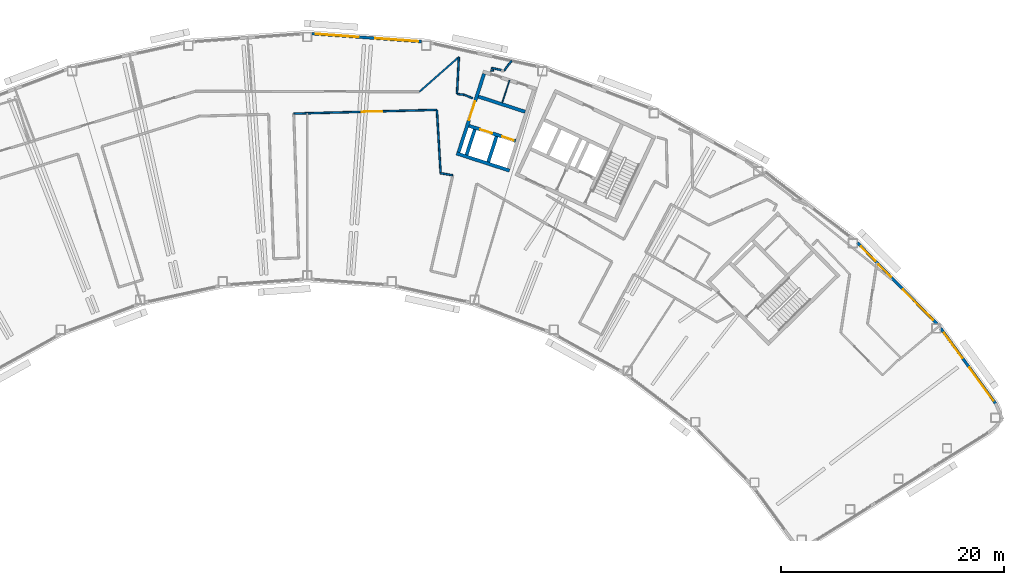
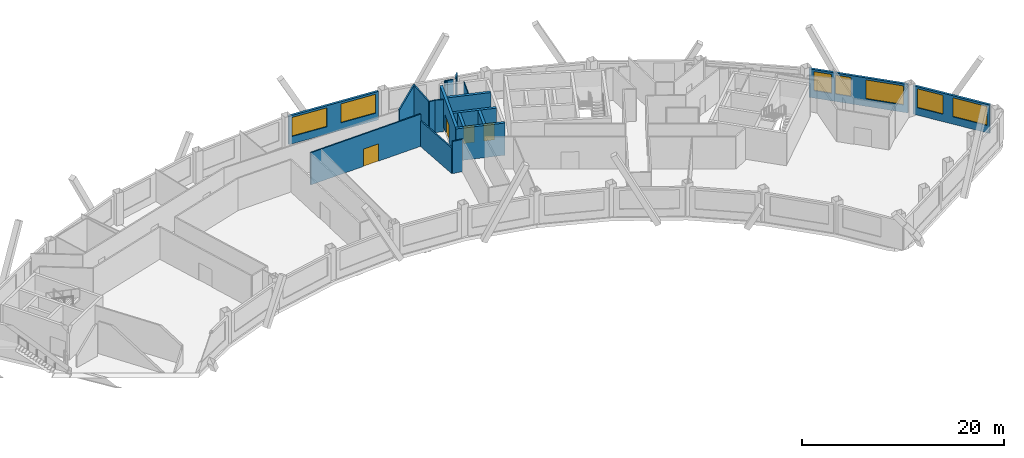
# One storey, part 9 of 13: 20 walls, 7 windows, 4 doors, 11 openings.
"""IFC4 building model written with IfcOpenShell, lengths in metres."""

import ifcopenshell
import ifcopenshell.guid

model = None  # the IFC model being written
_history = None  # IfcOwnerHistory: only IFC2X3 demands one
_inside = {}  # id of a spatial element -> (the spatial element, [elements in it])
_under = {}  # id of a project, library or spatial element -> (it, [spatial elements below it])
_declared = {}  # id of a project -> (the project, [libraries it declares])
_typed = {}  # id of a type object -> (the type object, [elements of that type])
_made_of = {}  # id of a material, layer set ... -> (it, [elements and type objects made of it])


def new_model(schema):
    """Start an empty IFC model of exactly this schema.

    Asked for "IFC4X3", IfcOpenShell would pick the latest addendum, in which some entities
    have other attributes; the version numbers below select the first issue.
    IFC2X3 requires an IfcOwnerHistory on every rooted entity: one is made here for all.
    """
    global model, _history
    if schema == "IFC4X3":
        model = ifcopenshell.file(schema_version=(4, 3, 0, 0))
    else:
        model = ifcopenshell.file(schema=schema)
    _inside.clear()
    _under.clear()
    _declared.clear()
    _typed.clear()
    _made_of.clear()
    _history = None
    if model.schema == "IFC2X3":
        org = make("IfcOrganization", Name="unknown")
        user = make(
            "IfcPersonAndOrganization",
            ThePerson=make("IfcPerson", FamilyName="unknown"),
            TheOrganization=org,
        )
        app = make(
            "IfcApplication",
            ApplicationDeveloper=org,
            Version="unknown",
            ApplicationFullName="unknown",
            ApplicationIdentifier="unknown",
        )
        _history = make(
            "IfcOwnerHistory",
            OwningUser=user,
            OwningApplication=app,
            ChangeAction="ADDED",
            CreationDate=0,
        )
    return model


def make(cls, **values):
    """One entity of the class cls with the attributes given. An attribute that is None is left unset."""
    return model.create_entity(
        cls, **{name: value for name, value in values.items() if value is not None}
    )


def rooted(cls, **values):
    """An entity with a GlobalId (a new one), such as an element, a storey or a relation."""
    return make(cls, GlobalId=ifcopenshell.guid.new(), OwnerHistory=_history, **values)


def si_unit(unit_type, name, prefix=None):
    """IfcSIUnit, for example si_unit("LENGTHUNIT", "METRE", prefix="MILLI")."""
    return make("IfcSIUnit", UnitType=unit_type, Prefix=prefix, Name=name)


def assignment(units):
    """IfcUnitAssignment: the units of a project."""
    return None if units is None else make("IfcUnitAssignment", Units=units)


def point(xyz):
    """IfcCartesianPoint."""
    return None if xyz is None else make("IfcCartesianPoint", Coordinates=xyz)


def direction(xyz):
    """IfcDirection."""
    return None if xyz is None else make("IfcDirection", DirectionRatios=xyz)


def frame(location, z_axis=None, x_axis=None):
    """IfcAxis2Placement3D, a coordinate frame: its origin and axes. An axis left out is left unset."""
    return make(
        "IfcAxis2Placement3D",
        Location=point(location),
        Axis=direction(z_axis),
        RefDirection=direction(x_axis),
    )


def frame_2d(location, x_axis=None):
    """IfcAxis2Placement2D, a coordinate frame in the plane: its origin and x axis."""
    return make(
        "IfcAxis2Placement2D", Location=point(location), RefDirection=direction(x_axis)
    )


def origin():
    """The frame at (0, 0, 0) with its axes left unset."""
    return frame((0.0, 0.0, 0.0))


def place(relative_to, where):
    """IfcLocalPlacement: puts the frame where relative to a parent placement (None: the world)."""
    return make(
        "IfcLocalPlacement", PlacementRelTo=relative_to, RelativePlacement=where
    )


def context(
    kind, dimensions, precision=None, world=None, true_north=None, identifier=None
):
    """IfcGeometricRepresentationContext, for example the 3D "Model" context."""
    return make(
        "IfcGeometricRepresentationContext",
        ContextIdentifier=identifier,
        ContextType=kind,
        CoordinateSpaceDimension=dimensions,
        Precision=precision,
        WorldCoordinateSystem=world,
        TrueNorth=true_north,
    )


def subcontext(parent, identifier, kind, view, scale=None):
    """IfcGeometricRepresentationSubContext, for example "Body" below "Model"."""
    return make(
        "IfcGeometricRepresentationSubContext",
        ContextIdentifier=identifier,
        ContextType=kind,
        ParentContext=parent,
        TargetScale=scale,
        TargetView=view,
    )


def project(units=None, contexts=None):
    """IfcProject with its units and contexts."""
    return rooted(
        "IfcProject",
        Name="project",
        RepresentationContexts=contexts,
        UnitsInContext=assignment(units),
    )


def spatial(cls, under=None, at=None, **own):
    """A site, building, storey or space (cls), placed at a placement, below another one or the project."""
    s = rooted(cls, ObjectPlacement=at, **own)
    if under is not None:
        _under.setdefault(under.id(), (under, []))[1].append(s)
    return s


def profile(cls, at=None, kind="AREA", **sizes):
    """A parametric profile (cls). Its sizes go by their IFC names, for example OverallWidth=200.0."""
    return make(cls, ProfileType=kind, Position=at, **sizes)


def rectangle(**sizes):
    """IfcRectangleProfileDef."""
    return profile("IfcRectangleProfileDef", **sizes)


def extrude(swept, where, along, depth):
    """IfcExtrudedAreaSolid: the profile swept, set in the frame where, extruded along a direction by depth."""
    return make(
        "IfcExtrudedAreaSolid",
        SweptArea=swept,
        Position=where,
        ExtrudedDirection=direction(along),
        Depth=depth,
    )


def shape(context_of_items, identifier, shape_type, items):
    """IfcShapeRepresentation: the items that make up one representation, for example the "Body"."""
    return make(
        "IfcShapeRepresentation",
        ContextOfItems=context_of_items,
        RepresentationIdentifier=identifier,
        RepresentationType=shape_type,
        Items=items,
    )


def material(Name=None, Category=None):
    """IfcMaterial."""
    return make("IfcMaterial", Name=Name, Category=Category)


def layer(
    of_material, thickness, ventilated=None, Name=None, Category=None, Priority=None
):
    """IfcMaterialLayer: one layer of a wall or slab, of a material (None: an air gap)."""
    return make(
        "IfcMaterialLayer",
        Material=of_material,
        LayerThickness=thickness,
        IsVentilated=ventilated,
        Name=Name,
        Category=Category,
        Priority=Priority,
    )


def layer_set(layers, Name=None):
    """IfcMaterialLayerSet."""
    return make("IfcMaterialLayerSet", MaterialLayers=layers, LayerSetName=Name)


def made_of(thing, what):
    """Note that an element or type object is made of a material, layer set ...; save() writes the relation."""
    if what is not None:
        _made_of.setdefault(what.id(), (what, []))[1].append(thing)
    return thing


def type_object(cls, material=None, **own):
    """A type object (cls), such as IfcWallType, which elements share."""
    return made_of(rooted(cls, **own), material)


def element(
    cls,
    number,
    at=None,
    inside=None,
    cuts=None,
    type_object=None,
    material=None,
    context=None,
    identifier="Body",
    shape_type=None,
    held_by="IfcProductDefinitionShape",
    body=None,
    shapes=None,
    **own,
):
    """One element of the class cls, such as IfcWall. Its Tag is "e" and its number.

    at: its placement. inside: the storey or other place that contains it. cuts: it is an
    opening in that element (IfcRelVoidsElement). A single representation is given by context,
    identifier, shape_type and body (its items); several are given by shapes. held_by: the class
    of the entity that holds the representations. save() writes the other relations.
    """
    e = rooted(cls, Tag="e%d" % number, ObjectPlacement=at, **own)
    if body is not None:
        shapes = [shape(context, identifier, shape_type, body)]
    if shapes is not None:
        e.Representation = make(held_by, Representations=shapes)
    if inside is not None:
        _inside.setdefault(inside.id(), (inside, []))[1].append(e)
    if cuts is not None:
        rooted(
            "IfcRelVoidsElement", RelatingBuildingElement=cuts, RelatedOpeningElement=e
        )
    if type_object is not None:
        _typed.setdefault(type_object.id(), (type_object, []))[1].append(e)
    return made_of(e, material)


def fill(opening, filler):
    """IfcRelFillsElement: the door or window that sits in an opening."""
    return rooted(
        "IfcRelFillsElement",
        RelatingOpeningElement=opening,
        RelatedBuildingElement=filler,
    )


def aggregate(whole, parts):
    """IfcRelAggregates: a whole, such as a stair, and the parts it consists of."""
    return rooted("IfcRelAggregates", RelatingObject=whole, RelatedObjects=parts)


def save(model, path):
    """Write the relations noted so far, then the file.

    IfcRelAggregates (storeys below a building ...), IfcRelContainedInSpatialStructure (elements
    in a storey), IfcRelDefinesByType, IfcRelAssociatesMaterial and IfcRelDeclares: one each for
    every whole, place, type object, material and project.
    """
    for whole, parts in _under.values():
        aggregate(whole, parts)
    for where, things in _inside.values():
        rooted(
            "IfcRelContainedInSpatialStructure",
            RelatedElements=things,
            RelatingStructure=where,
        )
    for kind, things in _typed.values():
        rooted("IfcRelDefinesByType", RelatedObjects=things, RelatingType=kind)
    for what, things in _made_of.values():
        rooted("IfcRelAssociatesMaterial", RelatedObjects=things, RelatingMaterial=what)
    for by, libraries in _declared.values():
        rooted("IfcRelDeclares", RelatingContext=by, RelatedDefinitions=libraries)
    model.write(path)


model = new_model("IFC4")

# Units and contexts
model_context = context("Model", 3, precision=1e-05, world=origin(), true_north=direction((0.0, 1.0)))
body_context = subcontext(model_context, "Body", "Model", "MODEL_VIEW")
ifc_project = project(units=[si_unit("LENGTHUNIT", "METRE"), si_unit("AREAUNIT", "SQUARE_METRE"), si_unit("VOLUMEUNIT", "CUBIC_METRE"), si_unit("PLANEANGLEUNIT", "RADIAN"), si_unit("MASSUNIT", "GRAM", prefix="KILO")], contexts=[model_context])

# Site, building, storey
site_placement = place(None, origin())
site = spatial("IfcSite", under=ifc_project, at=site_placement, CompositionType="ELEMENT")
building_placement = place(site_placement, origin())
building = spatial("IfcBuilding", under=site, at=building_placement, Name="Tuul Gate Civic Tower", CompositionType="ELEMENT")
storey_placement = place(building_placement, frame((0.0, 0.0, 285.800048828125)))
storey = spatial("IfcBuildingStorey", under=building, at=storey_placement, Name="Level 64", CompositionType="ELEMENT", Elevation=285.800048828125)

# Walls
ifc_material_1 = material(Name="Gypsum board partition")
ifc_layer_1 = layer(ifc_material_1, 0.14990234375)
ifc_layer_set_1 = layer_set([ifc_layer_1], Name="Gypsum board partition")
wall_type_1 = type_object("IfcWallType", Name="Corridor wall P150", PredefinedType="PARTITIONING", material=ifc_layer_set_1)
wall_1_placement = place(storey_placement, frame((24.432373046875, 6.212890625, 0.0), z_axis=(0.0, 0.0, 1.0), x_axis=(0.596850597109, 0.802352394357, 0.0)))
element("IfcWall", 1, at=wall_1_placement, inside=storey, type_object=wall_type_1, Name="p018", PredefinedType="PARTITIONING", context=body_context, shape_type="SweptSolid", body=[
    extrude(rectangle(XDim=1.117919921875, YDim=0.14990234375, at=frame_2d((0.55908203125, 0.0))), origin(), (0.0, 0.0, 1.0), 3.89990234375),
])
wall_2_placement = place(storey_placement, frame((23.209716796875, 6.218994140625, 0.0), z_axis=(0.0, 0.0, 1.0), x_axis=(0.999935665258, -0.011343074737, 0.0)))
element("IfcWall", 2, at=wall_2_placement, inside=storey, type_object=wall_type_1, Name="p019", PredefinedType="PARTITIONING", context=body_context, shape_type="SweptSolid", body=[
    extrude(rectangle(XDim=0.27978515625, YDim=0.14990234375, at=frame_2d((0.139892578125, 0.0))), origin(), (0.0, 0.0, 1.0), 3.89990234375),
])
wall_3_placement = place(storey_placement, frame((23.286865234375, 6.456787109375, 0.0), z_axis=(0.0, 0.0, 1.0), x_axis=(0.97872607624, -0.205171313025, 0.0)))
element("IfcWall", 3, at=wall_3_placement, inside=storey, type_object=wall_type_1, Name="p020", PredefinedType="PARTITIONING", context=body_context, shape_type="SweptSolid", body=[
    extrude(rectangle(XDim=0.953125, YDim=0.14990234375, at=frame_2d((0.4765625, 0.0))), origin(), (0.0, 0.0, 1.0), 3.89990234375),
])
wall_4_placement = place(storey_placement, frame((20.83349609375, 4.05419921875, 0.0), z_axis=(0.0, 0.0, 1.0), x_axis=(0.928577985222, -0.371137340296, 0.0)))
element("IfcWall", 4, at=wall_4_placement, inside=storey, type_object=wall_type_1, Name="p021", PredefinedType="PARTITIONING", context=body_context, shape_type="SweptSolid", body=[
    extrude(rectangle(XDim=0.830810546875, YDim=0.14990234375, at=frame_2d((0.41552734375, 0.0))), origin(), (0.0, 0.0, 1.0), 3.89990234375),
])
wall_5_placement = place(storey_placement, frame((20.2255859375, 4.118408203125, 0.0), z_axis=(0.0, 0.0, 1.0), x_axis=(0.994483493788, -0.104893186543, 0.0)))
element("IfcWall", 5, at=wall_5_placement, inside=storey, type_object=wall_type_1, Name="p022", PredefinedType="PARTITIONING", context=body_context, shape_type="SweptSolid", body=[
    extrude(rectangle(XDim=0.60986328125, YDim=0.14990234375, at=frame_2d((0.304931640625, 0.0))), origin(), (0.0, 0.0, 1.0), 3.89990234375),
])
wall_6_placement = place(storey_placement, frame((20.207275390625, 4.139892578125, 0.0), z_axis=(0.0, 0.0, 1.0), x_axis=(0.051209082668, 0.998687954194, 0.0)))
element("IfcWall", 6, at=wall_6_placement, inside=storey, type_object=wall_type_1, Name="p023", PredefinedType="PARTITIONING", context=body_context, shape_type="SweptSolid", body=[
    extrude(rectangle(XDim=3.303955078125, YDim=0.14990234375, at=frame_2d((1.65185546875, 0.0))), origin(), (0.0, 0.0, 1.0), 3.89990234375),
])
wall_7_placement = place(storey_placement, frame((16.83935546875, 4.32421875, 0.0), z_axis=(0.0, 0.0, 1.0), x_axis=(0.750371229567, 0.661016654736, 0.0)))
element("IfcWall", 7, at=wall_7_placement, inside=storey, type_object=wall_type_1, Name="p024", PredefinedType="PARTITIONING", context=body_context, shape_type="SweptSolid", body=[
    extrude(rectangle(XDim=4.713134765625, YDim=0.14990234375, at=frame_2d((2.3564453125, 0.0))), origin(), (0.0, 0.0, 1.0), 3.89990234375),
])

# Wall, opening, door
wall_8_placement = place(storey_placement, frame((5.59375, 2.36328125, 0.0), z_axis=(0.0, 0.0, 1.0), x_axis=(0.99964816432, 0.026524471202, 0.0)))
wall_8 = element("IfcWall", 8, at=wall_8_placement, inside=storey, type_object=wall_type_1, Name="p059", PredefinedType="PARTITIONING", context=body_context, shape_type="SweptSolid", body=[
    extrude(rectangle(XDim=12.7939453125, YDim=0.14990234375, at=frame_2d((6.39697265625, 0.0))), origin(), (0.0, 0.0, 1.0), 3.89990234375),
])
opening_1_placement = place(wall_8_placement, frame((6.09423828125, 0.0, 0.0)))
opening_1 = element("IfcOpeningElement", 9, at=opening_1_placement, cuts=wall_8, Name="Opening X-D10", PredefinedType="OPENING", context=body_context, shape_type="SweptSolid", body=[
    extrude(rectangle(XDim=1.800048828125, YDim=2.10009765625, at=frame_2d((0.89990234375, 1.050048828125))), frame((0.0, 0.0849609375, 0.0), z_axis=(0.0, -1.0, 0.0), x_axis=(1.0, 0.0, 0.0)), (0.0, 0.0, 1.0), 0.169921875),
])
ifc_material_2 = material(Name="Timber door leaf, double", Category="wood")
door_type_1 = type_object("IfcDoorType", Name="Door D18", OperationType="DOUBLE_DOOR_SINGLE_SWING", PredefinedType="DOOR", material=ifc_material_2)
door_1_placement = place(opening_1_placement, frame((1.800048828125, 0.0, 0.0), z_axis=(0.0, 0.0, 1.0), x_axis=(-1.0, 0.0, 0.0)))
door_1 = element("IfcDoor", 10, at=door_1_placement, inside=storey, type_object=door_type_1, Name="Door X-D10", OperationType="DOUBLE_DOOR_SINGLE_SWING", OverallHeight=2.10009765625, OverallWidth=1.800048828125, PredefinedType="DOOR", context=body_context, shape_type="SweptSolid", body=[
    extrude(rectangle(XDim=1.800048828125, YDim=2.10009765625, at=frame_2d((0.900146484375, 1.050048828125))), frame((0.0, 0.02490234375, 0.0), z_axis=(0.0, -1.0, 0.0), x_axis=(1.0, 0.0, 0.0)), (0.0, 0.0, 1.0), 0.050048828125),
])
fill(opening_1, door_1)

# Walls
wall_9_placement = place(storey_placement, frame((18.739990234375, -2.978515625, 0.0), z_axis=(0.0, 0.0, 1.0), x_axis=(0.986082491654, -0.166256788294, 0.0)))
element("IfcWall", 11, at=wall_9_placement, inside=storey, type_object=wall_type_1, Name="p061", PredefinedType="PARTITIONING", context=body_context, shape_type="SweptSolid", body=[
    extrude(rectangle(XDim=1.086669921875, YDim=0.14990234375, at=frame_2d((0.54345703125, 0.0))), origin(), (0.0, 0.0, 1.0), 3.89990234375),
])
ifc_material_3 = material(Name="Gypsum board partition")
ifc_layer_2 = layer(ifc_material_3, 0.14990234375)
ifc_layer_set_2 = layer_set([ifc_layer_2], Name="Gypsum board partition")
wall_type_2 = type_object("IfcWallType", Name="Corridor wall P150 3100 HIGH", PredefinedType="PARTITIONING", material=ifc_layer_set_2)
wall_10_placement = place(storey_placement, frame((18.404296875, 2.683349609375, 0.0), z_axis=(0.0, 0.0, 1.0), x_axis=(0.059108134691, -0.99825158573, 0.0)))
element("IfcWall", 12, at=wall_10_placement, inside=storey, type_object=wall_type_2, Name="p060", PredefinedType="PARTITIONING", context=body_context, shape_type="SweptSolid", body=[
    extrude(rectangle(XDim=5.671142578125, YDim=0.14990234375, at=frame_2d((2.83544921875, 0.0))), origin(), (0.0, 0.0, 1.0), 3.099853515625),
])

# Wall, openings, windows
ifc_material_4 = material(Name="Precast concrete C40/50", Category="concrete")
ifc_layer_3 = layer(ifc_material_4, 0.25)
ifc_layer_set_3 = layer_set([ifc_layer_3], Name="Precast concrete C40/50")
wall_type_3 = type_object("IfcWallType", Name="External wall", PredefinedType="STANDARD", material=ifc_layer_set_3)
wall_11_placement = place(storey_placement, frame((68.47802734375, -23.61376953125, 0.0), z_axis=(0.0, 0.0, 1.0), x_axis=(-0.589827901293, 0.807528975862, 0.0)))
wall_11 = element("IfcWall", 13, at=wall_11_placement, inside=storey, type_object=wall_type_3, Name="External wall", PredefinedType="STANDARD", context=body_context, shape_type="SweptSolid", body=[
    extrude(rectangle(XDim=8.337890625, YDim=0.25, at=frame_2d((4.1689453125, 0.0))), origin(), (0.0, 0.0, 1.0), 3.449951171875),
])
opening_2_placement = place(wall_11_placement, frame((0.301025390625, 0.0, 0.89990234375)))
opening_2 = element("IfcOpeningElement", 14, at=opening_2_placement, cuts=wall_11, Name="Opening W21", PredefinedType="OPENING", context=body_context, shape_type="SweptSolid", body=[
    extrude(rectangle(XDim=3.699951171875, YDim=2.300048828125, at=frame_2d((1.85009765625, 1.14990234375))), frame((0.0, 0.135009765625, 0.0), z_axis=(0.0, -1.0, 0.0), x_axis=(1.0, 0.0, 0.0)), (0.0, 0.0, 1.0), 0.27001953125),
])
opening_3_placement = place(wall_11_placement, frame((5.052978515625, 0.0, 0.89990234375)))
opening_3 = element("IfcOpeningElement", 15, at=opening_3_placement, cuts=wall_11, Name="Opening W23", PredefinedType="OPENING", context=body_context, shape_type="SweptSolid", body=[
    extrude(rectangle(XDim=2.800048828125, YDim=2.300048828125, at=frame_2d((1.39990234375, 1.14990234375))), frame((0.0, 0.135009765625, 0.0), z_axis=(0.0, -1.0, 0.0), x_axis=(1.0, 0.0, 0.0)), (0.0, 0.0, 1.0), 0.27001953125),
])
ifc_material_5 = material(Name="Glass", Category="glass")
window_type_1 = type_object("IfcWindowType", Name="Window W21 3700 x 2300", PartitioningType="SINGLE_PANEL", PredefinedType="WINDOW", material=ifc_material_5)
window_1_placement = place(opening_2_placement, origin())
window_1 = element("IfcWindow", 16, at=window_1_placement, inside=storey, type_object=window_type_1, Name="Window", OverallHeight=2.300048828125, OverallWidth=3.699951171875, PartitioningType="SINGLE_PANEL", PredefinedType="WINDOW", context=body_context, shape_type="SweptSolid", body=[
    extrude(rectangle(XDim=3.699951171875, YDim=2.300048828125, at=frame_2d((1.85009765625, 1.14990234375))), frame((0.0, 0.030029296875, 0.0), z_axis=(0.0, -1.0, 0.0), x_axis=(1.0, 0.0, 0.0)), (0.0, 0.0, 1.0), 0.06005859375),
])
fill(opening_2, window_1)
ifc_material_6 = material(Name="Glass", Category="glass")
window_type_2 = type_object("IfcWindowType", Name="Window W23 2800 x 2300", PartitioningType="SINGLE_PANEL", PredefinedType="WINDOW", material=ifc_material_6)
window_2_placement = place(opening_3_placement, origin())
window_2 = element("IfcWindow", 17, at=window_2_placement, inside=storey, type_object=window_type_2, Name="Window", OverallHeight=2.300048828125, OverallWidth=2.800048828125, PartitioningType="SINGLE_PANEL", PredefinedType="WINDOW", context=body_context, shape_type="SweptSolid", body=[
    extrude(rectangle(XDim=2.800048828125, YDim=2.300048828125, at=frame_2d((1.39990234375, 1.14990234375))), frame((0.0, 0.030029296875, 0.0), z_axis=(0.0, -1.0, 0.0), x_axis=(1.0, 0.0, 0.0)), (0.0, 0.0, 1.0), 0.06005859375),
])
fill(opening_3, window_2)

wall_12_placement = place(storey_placement, frame((63.22314453125, -16.48388671875, 0.0), z_axis=(0.0, 0.0, 1.0), x_axis=(-0.700055609081, 0.714088330807, 0.0)))
wall_12 = element("IfcWall", 18, at=wall_12_placement, inside=storey, type_object=wall_type_3, Name="External wall", PredefinedType="STANDARD", context=body_context, shape_type="SweptSolid", body=[
    extrude(rectangle(XDim=10.1953125, YDim=0.25, at=frame_2d((5.09765625, 0.0))), origin(), (0.0, 0.0, 1.0), 3.449951171875),
])
opening_4_placement = place(wall_12_placement, frame((0.48681640625, 0.0, 0.89990234375)))
opening_4 = element("IfcOpeningElement", 19, at=opening_4_placement, cuts=wall_12, Name="Opening W22", PredefinedType="OPENING", context=body_context, shape_type="SweptSolid", body=[
    extrude(rectangle(XDim=3.85009765625, YDim=2.300048828125, at=frame_2d((1.925048828125, 1.14990234375))), frame((0.0, 0.135009765625, 0.0), z_axis=(0.0, -1.0, 0.0), x_axis=(1.0, 0.0, 0.0)), (0.0, 0.0, 1.0), 0.27001953125),
])
opening_5_placement = place(wall_12_placement, frame((5.8759765625, 0.0, 0.89990234375)))
opening_5 = element("IfcOpeningElement", 20, at=opening_5_placement, cuts=wall_12, Name="Opening W28", PredefinedType="OPENING", context=body_context, shape_type="SweptSolid", body=[
    extrude(rectangle(XDim=1.60009765625, YDim=2.300048828125, at=frame_2d((0.800048828125, 1.14990234375))), frame((0.0, 0.135009765625, 0.0), z_axis=(0.0, -1.0, 0.0), x_axis=(1.0, 0.0, 0.0)), (0.0, 0.0, 1.0), 0.27001953125),
])
opening_6_placement = place(wall_12_placement, frame((7.90087890625, 0.0, 0.89990234375)))
opening_6 = element("IfcOpeningElement", 21, at=opening_6_placement, cuts=wall_12, Name="Opening W29", PredefinedType="OPENING", context=body_context, shape_type="SweptSolid", body=[
    extrude(rectangle(XDim=1.800048828125, YDim=2.300048828125, at=frame_2d((0.89990234375, 1.14990234375))), frame((0.0, 0.135009765625, 0.0), z_axis=(0.0, -1.0, 0.0), x_axis=(1.0, 0.0, 0.0)), (0.0, 0.0, 1.0), 0.27001953125),
])
ifc_material_7 = material(Name="Glass", Category="glass")
window_type_3 = type_object("IfcWindowType", Name="Window 1600 x 2300", PartitioningType="SINGLE_PANEL", PredefinedType="WINDOW", material=ifc_material_7)
window_3_placement = place(opening_5_placement, origin())
window_3 = element("IfcWindow", 22, at=window_3_placement, inside=storey, type_object=window_type_3, Name="Window", OverallHeight=2.300048828125, OverallWidth=1.60009765625, PartitioningType="SINGLE_PANEL", PredefinedType="WINDOW", context=body_context, shape_type="SweptSolid", body=[
    extrude(rectangle(XDim=1.60009765625, YDim=2.300048828125, at=frame_2d((0.800048828125, 1.14990234375))), frame((0.0, 0.030029296875, 0.0), z_axis=(0.0, -1.0, 0.0), x_axis=(1.0, 0.0, 0.0)), (0.0, 0.0, 1.0), 0.06005859375),
])
fill(opening_5, window_3)
ifc_material_8 = material(Name="Glass", Category="glass")
window_type_4 = type_object("IfcWindowType", Name="Window 1800 x 2300", PartitioningType="SINGLE_PANEL", PredefinedType="WINDOW", material=ifc_material_8)
window_4_placement = place(opening_6_placement, origin())
window_4 = element("IfcWindow", 23, at=window_4_placement, inside=storey, type_object=window_type_4, Name="Window", OverallHeight=2.300048828125, OverallWidth=1.800048828125, PartitioningType="SINGLE_PANEL", PredefinedType="WINDOW", context=body_context, shape_type="SweptSolid", body=[
    extrude(rectangle(XDim=1.800048828125, YDim=2.300048828125, at=frame_2d((0.89990234375, 1.14990234375))), frame((0.0, 0.030029296875, 0.0), z_axis=(0.0, -1.0, 0.0), x_axis=(1.0, 0.0, 0.0)), (0.0, 0.0, 1.0), 0.06005859375),
])
fill(opening_6, window_4)
ifc_material_9 = material(Name="Glass", Category="glass")
window_type_5 = type_object("IfcWindowType", Name="Window W22 3850 x 2300", PartitioningType="SINGLE_PANEL", PredefinedType="WINDOW", material=ifc_material_9)
window_5_placement = place(opening_4_placement, origin())
window_5 = element("IfcWindow", 24, at=window_5_placement, inside=storey, type_object=window_type_5, Name="Window", OverallHeight=2.300048828125, OverallWidth=3.85009765625, PartitioningType="SINGLE_PANEL", PredefinedType="WINDOW", context=body_context, shape_type="SweptSolid", body=[
    extrude(rectangle(XDim=3.85009765625, YDim=2.300048828125, at=frame_2d((1.925048828125, 1.14990234375))), frame((0.0, 0.030029296875, 0.0), z_axis=(0.0, -1.0, 0.0), x_axis=(1.0, 0.0, 0.0)), (0.0, 0.0, 1.0), 0.06005859375),
])
fill(opening_4, window_5)

wall_13_placement = place(storey_placement, frame((17.0380859375, 8.8154296875, 0.0), z_axis=(0.0, 0.0, 1.0), x_axis=(-0.997387687721, 0.072234343517, 0.0)))
wall_13 = element("IfcWall", 25, at=wall_13_placement, inside=storey, type_object=wall_type_3, Name="External wall", PredefinedType="STANDARD", context=body_context, shape_type="SweptSolid", body=[
    extrude(rectangle(XDim=9.8759765625, YDim=0.25, at=frame_2d((4.93798828125, 0.0))), origin(), (0.0, 0.0, 1.0), 3.449951171875),
])
opening_7_placement = place(wall_13_placement, frame((0.3037109375, 0.0, 0.89990234375)))
opening_7 = element("IfcOpeningElement", 26, at=opening_7_placement, cuts=wall_13, Name="Opening W22", PredefinedType="OPENING", context=body_context, shape_type="SweptSolid", body=[
    extrude(rectangle(XDim=3.85009765625, YDim=2.300048828125, at=frame_2d((1.925048828125, 1.14990234375))), frame((0.0, 0.135009765625, 0.0), z_axis=(0.0, -1.0, 0.0), x_axis=(1.0, 0.0, 0.0)), (0.0, 0.0, 1.0), 0.27001953125),
])
opening_8_placement = place(wall_13_placement, frame((5.675048828125, 0.0, 0.89990234375)))
opening_8 = element("IfcOpeningElement", 27, at=opening_8_placement, cuts=wall_13, Name="Opening W22", PredefinedType="OPENING", context=body_context, shape_type="SweptSolid", body=[
    extrude(rectangle(XDim=3.85009765625, YDim=2.300048828125, at=frame_2d((1.925048828125, 1.14990234375))), frame((0.0, 0.135009765625, 0.0), z_axis=(0.0, -1.0, 0.0), x_axis=(1.0, 0.0, 0.0)), (0.0, 0.0, 1.0), 0.27001953125),
])
window_6_placement = place(opening_7_placement, origin())
window_6 = element("IfcWindow", 28, at=window_6_placement, inside=storey, type_object=window_type_5, Name="Window", OverallHeight=2.300048828125, OverallWidth=3.85009765625, PartitioningType="SINGLE_PANEL", PredefinedType="WINDOW", context=body_context, shape_type="SweptSolid", body=[
    extrude(rectangle(XDim=3.85009765625, YDim=2.300048828125, at=frame_2d((1.925048828125, 1.14990234375))), frame((0.0, 0.030029296875, 0.0), z_axis=(0.0, -1.0, 0.0), x_axis=(1.0, 0.0, 0.0)), (0.0, 0.0, 1.0), 0.06005859375),
])
fill(opening_7, window_6)
window_7_placement = place(opening_8_placement, origin())
window_7 = element("IfcWindow", 29, at=window_7_placement, inside=storey, type_object=window_type_5, Name="Window", OverallHeight=2.300048828125, OverallWidth=3.85009765625, PartitioningType="SINGLE_PANEL", PredefinedType="WINDOW", context=body_context, shape_type="SweptSolid", body=[
    extrude(rectangle(XDim=3.85009765625, YDim=2.300048828125, at=frame_2d((1.925048828125, 1.14990234375))), frame((0.0, 0.030029296875, 0.0), z_axis=(0.0, -1.0, 0.0), x_axis=(1.0, 0.0, 0.0)), (0.0, 0.0, 1.0), 0.06005859375),
])
fill(opening_8, window_7)

# Wall
ifc_material_10 = material(Name="Concrete C40/50", Category="concrete")
ifc_layer_4 = layer(ifc_material_10, 0.300048828125)
ifc_layer_set_4 = layer_set([ifc_layer_4], Name="Concrete C40/50")
wall_type_4 = type_object("IfcWallType", Name="Lift shaft wall C40/50", PredefinedType="STANDARD", material=ifc_layer_set_4)
wall_14_placement = place(storey_placement, frame((24.911376953125, -2.746337890625, 0.0), z_axis=(0.0, 0.0, 1.0), x_axis=(-0.951067792613, 0.308982287281, 0.0)))
element("IfcWall", 30, at=wall_14_placement, inside=storey, type_object=wall_type_4, Name="Shaft wall", PredefinedType="STANDARD", context=body_context, shape_type="SweptSolid", body=[
    extrude(rectangle(XDim=5.0, YDim=0.300048828125, at=frame_2d((2.5, 0.0))), origin(), (0.0, 0.0, 1.0), 3.89990234375),
])

# Wall, openings, doors
wall_15_placement = place(storey_placement, frame((25.460693359375, -0.0859375, 0.0), z_axis=(0.0, 0.0, 1.0), x_axis=(-0.951063829732, 0.308994485023, 0.0)))
wall_15 = element("IfcWall", 31, at=wall_15_placement, inside=storey, type_object=wall_type_4, Name="Shaft wall", PredefinedType="STANDARD", context=body_context, shape_type="SweptSolid", body=[
    extrude(rectangle(XDim=4.400146484375, YDim=0.300048828125, at=frame_2d((2.2001953125, 0.0))), origin(), (0.0, 0.0, 1.0), 3.89990234375),
])
opening_9_placement = place(wall_15_placement, frame((0.175048828125, 0.0, 0.0)))
opening_9 = element("IfcOpeningElement", 32, at=opening_9_placement, cuts=wall_15, Name="Opening LD-H2", PredefinedType="OPENING", context=body_context, shape_type="SweptSolid", body=[
    extrude(rectangle(XDim=1.10009765625, YDim=2.10009765625, at=frame_2d((0.550048828125, 1.050048828125))), frame((0.0, 0.16015625, 0.0), z_axis=(0.0, -1.0, 0.0), x_axis=(1.0, 0.0, 0.0)), (0.0, 0.0, 1.0), 0.320068359375),
])
opening_10_placement = place(wall_15_placement, frame((2.22509765625, 0.0, 0.0)))
opening_10 = element("IfcOpeningElement", 33, at=opening_10_placement, cuts=wall_15, Name="Opening LD-H3", PredefinedType="OPENING", context=body_context, shape_type="SweptSolid", body=[
    extrude(rectangle(XDim=1.10009765625, YDim=2.10009765625, at=frame_2d((0.550048828125, 1.050048828125))), frame((0.0, 0.16015625, 0.0), z_axis=(0.0, -1.0, 0.0), x_axis=(1.0, 0.0, 0.0)), (0.0, 0.0, 1.0), 0.320068359375),
])
ifc_material_11 = material(Name="Stainless steel", Category="steel")
door_type_2 = type_object("IfcDoorType", Name="Landing door", OperationType="DOUBLE_DOOR_SLIDING", PredefinedType="DOOR", material=ifc_material_11)
door_2_placement = place(opening_9_placement, origin())
door_2 = element("IfcDoor", 34, at=door_2_placement, inside=storey, type_object=door_type_2, Name="High-rise lift H2 landing door", OperationType="DOUBLE_DOOR_SLIDING", OverallHeight=2.10009765625, OverallWidth=1.10009765625, PredefinedType="DOOR", context=body_context, shape_type="SweptSolid", body=[
    extrude(rectangle(XDim=1.10009765625, YDim=2.10009765625, at=frame_2d((0.550048828125, 1.050048828125))), frame((0.0, 0.02490234375, 0.0), z_axis=(0.0, -1.0, 0.0), x_axis=(1.0, 0.0, 0.0)), (0.0, 0.0, 1.0), 0.050048828125),
])
fill(opening_9, door_2)
door_3_placement = place(opening_10_placement, origin())
door_3 = element("IfcDoor", 35, at=door_3_placement, inside=storey, type_object=door_type_2, Name="High-rise lift H3 landing door", OperationType="DOUBLE_DOOR_SLIDING", OverallHeight=2.10009765625, OverallWidth=1.10009765625, PredefinedType="DOOR", context=body_context, shape_type="SweptSolid", body=[
    extrude(rectangle(XDim=1.10009765625, YDim=2.10009765625, at=frame_2d((0.550048828125, 1.050048828125))), frame((0.0, 0.02490234375, 0.0), z_axis=(0.0, -1.0, 0.0), x_axis=(1.0, 0.0, 0.0)), (0.0, 0.0, 1.0), 0.050048828125),
])
fill(opening_10, door_3)

# Walls
wall_16_placement = place(storey_placement, frame((26.310546875, 2.529541015625, 0.0), z_axis=(0.0, 0.0, 1.0), x_axis=(-0.951058531764, 0.30901079133, 0.0)))
element("IfcWall", 36, at=wall_16_placement, inside=storey, type_object=wall_type_4, Name="Shaft wall", PredefinedType="STANDARD", context=body_context, shape_type="SweptSolid", body=[
    extrude(rectangle(XDim=4.39990234375, YDim=0.300048828125, at=frame_2d((2.199951171875, 0.0))), origin(), (0.0, 0.0, 1.0), 3.89990234375),
])
for number, where, z_axis, x_axis, name in (
    (37, (23.008056640625, -1.97021484375, 0.0), (0.0, 0.0, 1.0), (0.309138975195, 0.951016873675, 0.0), "Shaft wall"),
    (38, (21.058349609375, -1.336669921875, 0.0), (0.0, 0.0, 1.0), (0.309138975195, 0.951016873675, 0.0), "Shaft wall"),
):
    element("IfcWall", number, at=place(storey_placement, frame(where, z_axis=z_axis, x_axis=x_axis)), inside=storey, type_object=wall_type_4, Name=name, PredefinedType="STANDARD", context=body_context, shape_type="SweptSolid", body=[
        extrude(rectangle(XDim=2.400146484375, YDim=0.300048828125, at=frame_2d((1.2001953125, 0.0))), origin(), (0.0, 0.0, 1.0), 3.89990234375),
    ])

# Wall, opening, door
wall_17_placement = place(storey_placement, frame((20.34521484375, -1.10498046875, 0.0), z_axis=(0.0, 0.0, 1.0), x_axis=(0.30907264409, 0.951038432807, 0.0)))
wall_17 = element("IfcWall", 39, at=wall_17_placement, inside=storey, type_object=wall_type_4, Name="Shaft wall", PredefinedType="STANDARD", context=body_context, shape_type="SweptSolid", body=[
    extrude(rectangle(XDim=7.39990234375, YDim=0.300048828125, at=frame_2d((3.699951171875, 0.0))), origin(), (0.0, 0.0, 1.0), 3.89990234375),
])
opening_11_placement = place(wall_17_placement, frame((3.02490234375, 0.0, 0.0)))
opening_11 = element("IfcOpeningElement", 40, at=opening_11_placement, cuts=wall_17, Name="Opening LB-E4-LOBBY-1", PredefinedType="OPENING", context=body_context, shape_type="SweptSolid", body=[
    extrude(rectangle(XDim=1.800048828125, YDim=2.10009765625, at=frame_2d((0.89990234375, 1.050048828125))), frame((0.0, 0.16015625, 0.0), z_axis=(0.0, -1.0, 0.0), x_axis=(1.0, 0.0, 0.0)), (0.0, 0.0, 1.0), 0.320068359375),
])
ifc_material_12 = material(Name="Steel", Category="steel")
door_type_3 = type_object("IfcDoorType", Name="Lobby door", OperationType="DOUBLE_DOOR_SINGLE_SWING", PredefinedType="DOOR", material=ifc_material_12)
door_4_placement = place(opening_11_placement, frame((1.800048828125, 0.0, 0.0), z_axis=(0.0, 0.0, 1.0), x_axis=(-1.0, 0.0, 0.0)))
door_4 = element("IfcDoor", 41, at=door_4_placement, inside=storey, type_object=door_type_3, Name="Lobby door E4-LOBBY", OperationType="DOUBLE_DOOR_SINGLE_SWING", OverallHeight=2.10009765625, OverallWidth=1.800048828125, PredefinedType="DOOR", context=body_context, shape_type="SweptSolid", body=[
    extrude(rectangle(XDim=1.800048828125, YDim=2.10009765625, at=frame_2d((0.900146484375, 1.050048828125))), frame((0.0, 0.02490234375, 0.0), z_axis=(0.0, -1.0, 0.0), x_axis=(1.0, 0.0, 0.0)), (0.0, 0.0, 1.0), 0.050048828125),
])
fill(opening_11, door_4)

# Wall
ifc_material_13 = material(Name="Gypsum board partition")
ifc_layer_5 = layer(ifc_material_13, 0.10009765625)
ifc_layer_set_5 = layer_set([ifc_layer_5], Name="Gypsum board partition")
wall_type_5 = type_object("IfcWallType", Name="Partition P100", PredefinedType="PARTITIONING", material=ifc_layer_set_5)
wall_18_placement = place(storey_placement, frame((24.2646484375, 3.35205078125, 0.0), z_axis=(0.0, 0.0, 1.0), x_axis=(0.309138649025, 0.951016979701, 0.0)))
element("IfcWall", 42, at=wall_18_placement, inside=storey, type_object=wall_type_5, Name="bE4-BAND-0", PredefinedType="PARTITIONING", context=body_context, shape_type="SweptSolid", body=[
    extrude(rectangle(XDim=2.099853515625, YDim=0.10009765625, at=frame_2d((1.0498046875, 0.0))), origin(), (0.0, 0.0, 1.0), 3.89990234375),
])

save(model, "model.ifc")
